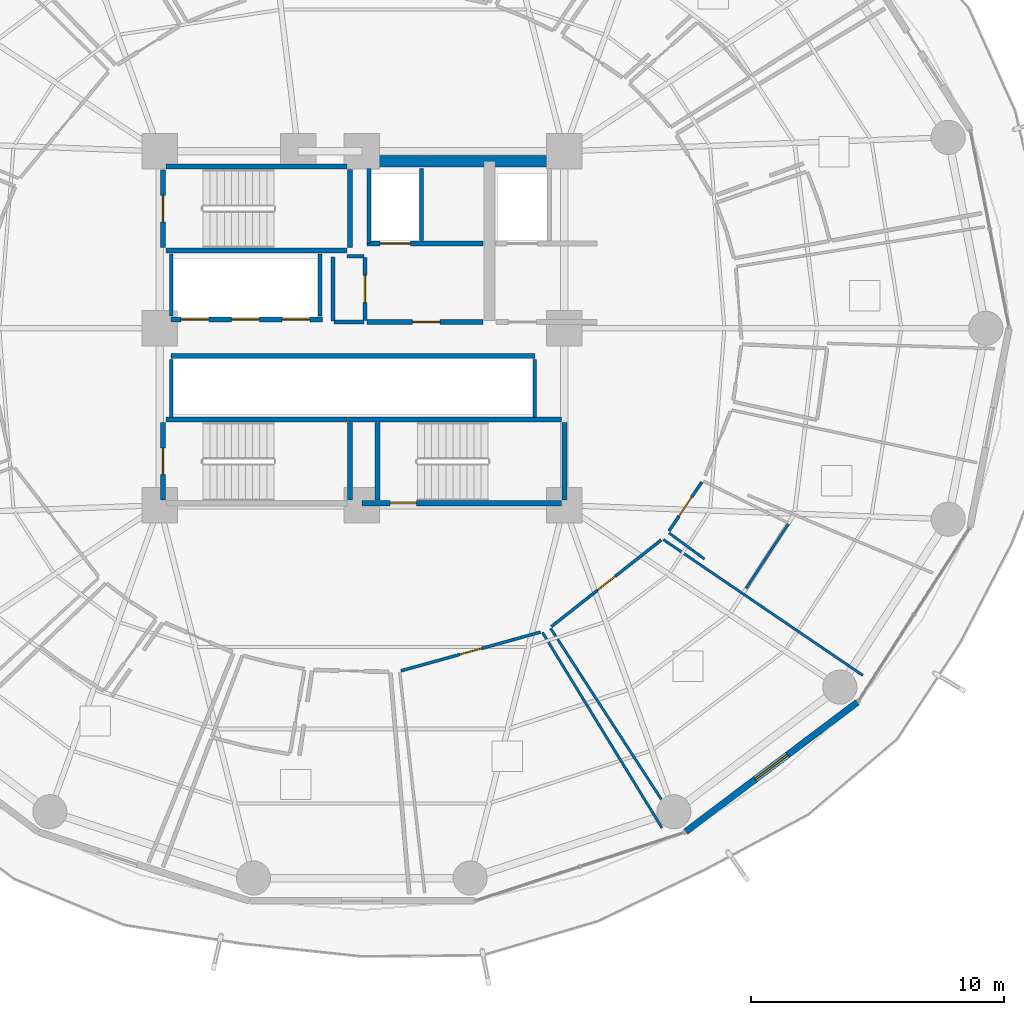
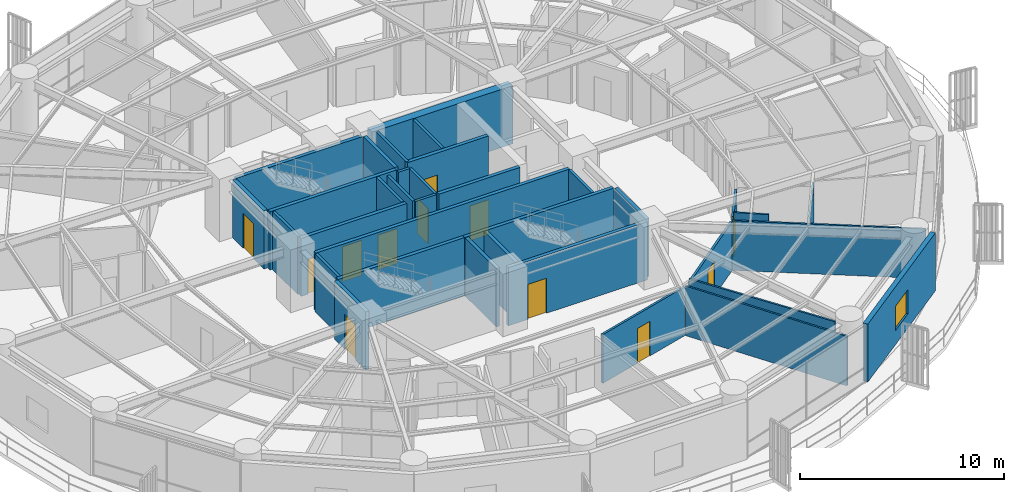
# One storey, part 26 of 33: 35 walls, 12 doors, 1 window, 13 openings.
"""IFC4 building model written with IfcOpenShell, lengths in metres."""

from ifc_helpers import new_model, si_unit, direction, frame, frame_2d, origin, place, context, subcontext, project, spatial, rectangle, extrude, material, layer, layer_set, type_object, element, fill, save


model = new_model("IFC4")

# Units and contexts
model_context = context("Model", 3, precision=1e-05, world=origin(), true_north=direction((0.0, 1.0)))
body_context = subcontext(model_context, "Body", "Model", "MODEL_VIEW")
ifc_project = project(units=[si_unit("LENGTHUNIT", "METRE"), si_unit("AREAUNIT", "SQUARE_METRE"), si_unit("VOLUMEUNIT", "CUBIC_METRE"), si_unit("PLANEANGLEUNIT", "RADIAN"), si_unit("MASSUNIT", "GRAM", prefix="KILO")], contexts=[model_context])

# Site, building, storey
site_placement = place(None, origin())
site = spatial("IfcSite", under=ifc_project, at=site_placement, CompositionType="ELEMENT")
building_placement = place(site_placement, origin())
building = spatial("IfcBuilding", under=site, at=building_placement, Name="Kelanora Arch Commons", CompositionType="ELEMENT")
storey_placement = place(building_placement, frame((0.0, 0.0, 80.10009765625)))
storey = spatial("IfcBuildingStorey", under=building, at=storey_placement, Name="L20", CompositionType="ELEMENT", Elevation=80.10009765625)

# Walls
ifc_material_1 = material(Name="Autoclaved aerated concrete blockwork with fire plaster", Category="masonry")
ifc_layer_1 = layer(ifc_material_1, 0.14990234375)
ifc_layer_set_1 = layer_set([ifc_layer_1], Name="Autoclaved aerated concrete blockwork with fire plaster")
wall_type_1 = type_object("IfcWallType", Name="W-COMP-150", PredefinedType="PARTITIONING", material=ifc_layer_set_1)
wall_1_placement = place(storey_placement, frame((74.280029296875, 61.35009765625, 0.0), z_axis=(0.0, 0.0, 1.0), x_axis=(0.0, 1.0, 0.0)))
element("IfcWall", 1, at=wall_1_placement, inside=storey, type_object=wall_type_1, Name="Firefighting Lift 1 West Shaft Wall L20", PredefinedType="PARTITIONING", context=body_context, shape_type="SweptSolid", body=[
    extrude(rectangle(XDim=2.969970703125, YDim=0.14990234375, at=frame_2d((1.48486328125, 0.0))), origin(), (0.0, 0.0, 1.0), 3.47998046875),
])
wall_2_placement = place(storey_placement, frame((76.360107421875, 61.47998046875, 0.0), z_axis=(0.0, 0.0, 1.0), x_axis=(0.0, 1.0, 0.0)))
element("IfcWall", 2, at=wall_2_placement, inside=storey, type_object=wall_type_1, Name="Firefighting Lift 1 East Shaft Wall L20", PredefinedType="PARTITIONING", context=body_context, shape_type="SweptSolid", body=[
    extrude(rectangle(XDim=2.840087890625, YDim=0.14990234375, at=frame_2d((1.419921875, 0.0))), origin(), (0.0, 0.0, 1.0), 3.47998046875),
])
for number, where, z_axis, x_axis, name in (
    (3, (66.4599609375, 58.47998046875, 0.0), (0.0, 0.0, 1.0), (0.0, 1.0, 0.0), "Low-Rise Lift Bank West Wall L20"),
    (4, (72.340087890625, 58.47998046875, 0.0), (0.0, 0.0, 1.0), (0.0, 1.0, 0.0), "Low-Rise Lift Bank East Wall L20"),
):
    element("IfcWall", number, at=place(storey_placement, frame(where, z_axis=z_axis, x_axis=x_axis)), inside=storey, type_object=wall_type_1, Name=name, PredefinedType="PARTITIONING", context=body_context, shape_type="SweptSolid", body=[
        extrude(rectangle(XDim=2.4599609375, YDim=0.14990234375, at=frame_2d((1.22998046875, 0.0))), origin(), (0.0, 0.0, 1.0), 3.47998046875),
    ])
for number, where, z_axis, x_axis, name in (
    (5, (66.4599609375, 54.47998046875, 0.0), (0.0, 0.0, 1.0), (0.0, 1.0, 0.0), "South Lift Bank West Wall L20"),
    (6, (80.840087890625, 54.47998046875, 0.0), (0.0, 0.0, 1.0), (0.0, 1.0, 0.0), "South Lift Bank East Wall L20"),
):
    element("IfcWall", number, at=place(storey_placement, frame(where, z_axis=z_axis, x_axis=x_axis)), inside=storey, type_object=wall_type_1, Name=name, PredefinedType="PARTITIONING", context=body_context, shape_type="SweptSolid", body=[
        extrude(rectangle(XDim=2.2900390625, YDim=0.14990234375, at=frame_2d((1.14501953125, 0.0))), origin(), (0.0, 0.0, 1.0), 3.47998046875),
    ])

# Wall, opening, door
wall_3_placement = place(storey_placement, frame((74.1201171875, 58.31005859375, 0.0), z_axis=(0.0, 0.0, 1.0), x_axis=(0.0, 1.0, 0.0)))
wall_3 = element("IfcWall", 7, at=wall_3_placement, inside=storey, type_object=wall_type_1, Name="Core Linen Supply Store L20 Entry Partition", PredefinedType="PARTITIONING", context=body_context, shape_type="SweptSolid", body=[
    extrude(rectangle(XDim=2.47998046875, YDim=0.14990234375, at=frame_2d((1.239990234375, 0.0))), origin(), (0.0, 0.0, 1.0), 3.47998046875),
])
opening_1_placement = place(wall_3_placement, frame((0.699951171875, 0.0, 0.0)))
opening_1 = element("IfcOpeningElement", 8, at=opening_1_placement, cuts=wall_3, Name="Opening D-PLT1", PredefinedType="OPENING", context=body_context, shape_type="SweptSolid", body=[
    extrude(rectangle(XDim=1.080078125, YDim=2.10009765625, at=frame_2d((0.5400390625, 1.050048828125))), frame((0.0, 0.0849609375, 0.0), z_axis=(0.0, -1.0, 0.0), x_axis=(1.0, 0.0, 0.0)), (0.0, 0.0, 1.0), 0.169921875),
])
ifc_material_2 = material(Name="Galvanised steel plant and riser fire door", Category="steel")
door_type_1 = type_object("IfcDoorType", Name="D-PLT-110", OperationType="NOTDEFINED", PredefinedType="DOOR", material=ifc_material_2)
door_1_placement = place(opening_1_placement, origin())
door_1 = element("IfcDoor", 9, at=door_1_placement, inside=storey, type_object=door_type_1, Name="Core Linen Supply Store L20 Door", OperationType="SINGLE_SWING_RIGHT", OverallHeight=2.10009765625, OverallWidth=1.080078125, PredefinedType="DOOR", context=body_context, shape_type="SweptSolid", body=[
    extrude(rectangle(XDim=1.080078125, YDim=2.10009765625, at=frame_2d((0.5400390625, 1.050048828125))), frame((0.0, 0.02490234375, 0.0), z_axis=(0.0, -1.0, 0.0), x_axis=(1.0, 0.0, 0.0)), (0.0, 0.0, 1.0), 0.050048828125),
])
fill(opening_1, door_1)

# Walls
wall_4_placement = place(storey_placement, frame((72.89990234375, 58.25, 0.0), z_axis=(0.0, 0.0, 1.0), x_axis=(1.0, 0.0, 0.0)))
element("IfcWall", 10, at=wall_4_placement, inside=storey, type_object=wall_type_1, Name="Core Linen Supply Store L20 Enclosure Partition 1", PredefinedType="PARTITIONING", context=body_context, shape_type="SweptSolid", body=[
    extrude(rectangle(XDim=1.18017578125, YDim=0.14990234375, at=frame_2d((0.590087890625, 0.0))), origin(), (0.0, 0.0, 1.0), 3.47998046875),
])
wall_5_placement = place(storey_placement, frame((74.080078125, 60.85009765625, 0.0), z_axis=(0.0, 0.0, 1.0), x_axis=(-1.0, 0.0, 0.0)))
element("IfcWall", 11, at=wall_5_placement, inside=storey, type_object=wall_type_1, Name="Core Linen Supply Store L20 Enclosure Partition 3", PredefinedType="PARTITIONING", context=body_context, shape_type="SweptSolid", body=[
    extrude(rectangle(XDim=0.66015625, YDim=0.14990234375, at=frame_2d((0.330078125, 0.0))), origin(), (0.0, 0.0, 1.0), 3.47998046875),
])
wall_6_placement = place(storey_placement, frame((72.860107421875, 60.81005859375, 0.0), z_axis=(0.0, 0.0, 1.0), x_axis=(0.0, -1.0, 0.0)))
element("IfcWall", 12, at=wall_6_placement, inside=storey, type_object=wall_type_1, Name="Core Linen Supply Store L20 Enclosure Partition 4", PredefinedType="PARTITIONING", context=body_context, shape_type="SweptSolid", body=[
    extrude(rectangle(XDim=2.52001953125, YDim=0.14990234375, at=frame_2d((1.260009765625, 0.0))), origin(), (0.0, 0.0, 1.0), 3.47998046875),
])
ifc_material_3 = material(Name="Concrete C60/75", Category="concrete")
ifc_layer_2 = layer(ifc_material_3, 0.449951171875)
ifc_layer_set_2 = layer_set([ifc_layer_2], Name="Concrete C60/75")
wall_type_2 = type_object("IfcWallType", Name="W-CORE-450", PredefinedType="SHEAR", material=ifc_layer_set_2)
wall_7_placement = place(storey_placement, frame((74.0, 64.60009765625, 0.0), z_axis=(0.0, 0.0, 1.0), x_axis=(1.0, 0.0, 0.0)))
element("IfcWall", 13, at=wall_7_placement, inside=storey, type_object=wall_type_2, Name="Core Shear Spine L20-CN-E", PredefinedType="SHEAR", context=body_context, shape_type="SweptSolid", body=[
    extrude(rectangle(XDim=8.0, YDim=0.449951171875, at=frame_2d((4.0, 0.0))), origin(), (0.0, 0.0, 1.0), 3.489990234375),
])

# Wall, opening, window
ifc_material_4 = material(Name="Precast concrete C40/50 with terracotta rainscreen", Category="masonry")
ifc_layer_3 = layer(ifc_material_4, 0.260009765625)
ifc_layer_set_3 = layer_set([ifc_layer_3], Name="Precast concrete C40/50 with terracotta rainscreen")
wall_type_3 = type_object("IfcWallType", Name="W-EXT-TC", PredefinedType="SOLIDWALL", material=ifc_layer_set_3)
wall_8_placement = place(storey_placement, frame((86.81201171875, 38.09033203125, 0.0), z_axis=(0.0, 0.0, 1.0), x_axis=(0.798501507879, 0.601992808857, 0.0)))
wall_8 = element("IfcWall", 14, at=wall_8_placement, inside=storey, type_object=wall_type_3, Name="Terracotta Exterior Wall L20-B15", PredefinedType="SOLIDWALL", context=body_context, shape_type="SweptSolid", body=[
    extrude(rectangle(XDim=8.499267578125, YDim=0.260009765625, at=frame_2d((4.24951171875, 0.0))), origin(), (0.0, 0.0, 1.0), 3.474853515625),
])
opening_2_placement = place(wall_8_placement, frame((3.449951171875, 0.0, 0.85009765625)))
opening_2 = element("IfcOpeningElement", 15, at=opening_2_placement, cuts=wall_8, Name="Opening WN-01", PredefinedType="OPENING", context=body_context, shape_type="SweptSolid", body=[
    extrude(rectangle(XDim=1.60009765625, YDim=1.449951171875, at=frame_2d((0.800048828125, 0.72509765625))), frame((0.0, 0.14013671875, 0.0), z_axis=(0.0, -1.0, 0.0), x_axis=(1.0, 0.0, 0.0)), (0.0, 0.0, 1.0), 0.280029296875),
])
ifc_material_5 = material(Name="Terracotta-anodised aluminium frame with operable low-E glazing", Category="masonry")
window_type = type_object("IfcWindowType", Name="WIN-CL-18", PartitioningType="DOUBLE_PANEL_VERTICAL", PredefinedType="WINDOW", material=ifc_material_5)
window_placement = place(opening_2_placement, origin())
window = element("IfcWindow", 16, at=window_placement, inside=storey, type_object=window_type, Name="Co-Living Operable Window L20-B15", OverallHeight=1.449951171875, OverallWidth=1.60009765625, PartitioningType="SINGLE_PANEL", PredefinedType="WINDOW", context=body_context, shape_type="SweptSolid", body=[
    extrude(rectangle(XDim=1.60009765625, YDim=1.449951171875, at=frame_2d((0.800048828125, 0.72509765625))), frame((0.0, 0.030029296875, 0.0), z_axis=(0.0, -1.0, 0.0), x_axis=(1.0, 0.0, 0.0)), (0.0, 0.0, 1.0), 0.06005859375),
])
fill(opening_2, window)

# Wall, opening, door
ifc_material_6 = material(Name="Concrete C40/50", Category="concrete")
ifc_layer_4 = layer(ifc_material_6, 0.199951171875)
ifc_layer_set_4 = layer_set([ifc_layer_4], Name="Concrete C40/50")
wall_type_4 = type_object("IfcWallType", Name="W-FFL-200", PredefinedType="SOLIDWALL", material=ifc_layer_set_4)
wall_9_placement = place(storey_placement, frame((74.199951171875, 61.35009765625, 0.0), z_axis=(0.0, 0.0, 1.0), x_axis=(1.0, 0.0, 0.0)))
wall_9 = element("IfcWall", 17, at=wall_9_placement, inside=storey, type_object=wall_type_4, Name="Firefighting Lift 1 Shaft Front L20", PredefinedType="SOLIDWALL", context=body_context, shape_type="SweptSolid", body=[
    extrude(rectangle(XDim=4.60009765625, YDim=0.199951171875, at=frame_2d((2.300048828125, 0.0))), origin(), (0.0, 0.0, 1.0), 3.47998046875),
])
opening_3_placement = place(wall_9_placement, frame((0.52001953125, 0.0, 0.0)))
opening_3 = element("IfcOpeningElement", 18, at=opening_3_placement, cuts=wall_9, Name="Opening LD-FF", PredefinedType="OPENING", context=body_context, shape_type="SweptSolid", body=[
    extrude(rectangle(XDim=1.199951171875, YDim=2.14990234375, at=frame_2d((0.60009765625, 1.074951171875))), frame((0.0, 0.10986328125, 0.0), z_axis=(0.0, -1.0, 0.0), x_axis=(1.0, 0.0, 0.0)), (0.0, 0.0, 1.0), 0.219970703125),
])
ifc_material_7 = material(Name="Fire-rated firefighters lift sliding landing door")
door_type_2 = type_object("IfcDoorType", Name="D-LIFT-FF", OperationType="NOTDEFINED", PredefinedType="DOOR", material=ifc_material_7)
door_2_placement = place(opening_3_placement, origin())
door_2 = element("IfcDoor", 19, at=door_2_placement, inside=storey, type_object=door_type_2, Name="Firefighting Lift LF-FF1 Landing Door L20", OperationType="DOUBLE_DOOR_SLIDING", OverallHeight=2.14990234375, OverallWidth=1.199951171875, PredefinedType="DOOR", context=body_context, shape_type="SweptSolid", body=[
    extrude(rectangle(XDim=1.199951171875, YDim=2.14990234375, at=frame_2d((0.60009765625, 1.074951171875))), frame((0.0, 0.02490234375, 0.0), z_axis=(0.0, -1.0, 0.0), x_axis=(1.0, 0.0, 0.0)), (0.0, 0.0, 1.0), 0.050048828125),
])
fill(opening_3, door_2)

wall_10_placement = place(storey_placement, frame((74.199951171875, 58.25, 0.0), z_axis=(0.0, 0.0, 1.0), x_axis=(1.0, 0.0, 0.0)))
wall_10 = element("IfcWall", 20, at=wall_10_placement, inside=storey, type_object=wall_type_4, Name="Firefighting Lobby 1 Enclosure Wall L20", PredefinedType="SOLIDWALL", context=body_context, shape_type="SweptSolid", body=[
    extrude(rectangle(XDim=4.60009765625, YDim=0.199951171875, at=frame_2d((2.300048828125, 0.0))), origin(), (0.0, 0.0, 1.0), 3.47998046875),
])
opening_4_placement = place(wall_10_placement, frame((1.800048828125, 0.0, 0.0)))
opening_4 = element("IfcOpeningElement", 21, at=opening_4_placement, cuts=wall_10, Name="Opening D-FFL1", PredefinedType="OPENING", context=body_context, shape_type="SweptSolid", body=[
    extrude(rectangle(XDim=1.10009765625, YDim=2.10009765625, at=frame_2d((0.550048828125, 1.050048828125))), frame((0.0, 0.10986328125, 0.0), z_axis=(0.0, -1.0, 0.0), x_axis=(1.0, 0.0, 0.0)), (0.0, 0.0, 1.0), 0.219970703125),
])
ifc_material_8 = material(Name="Smoke-sealed firefighting lobby fire door")
door_type_3 = type_object("IfcDoorType", Name="D-FFL-110", OperationType="NOTDEFINED", PredefinedType="DOOR", material=ifc_material_8)
door_3_placement = place(opening_4_placement, frame((1.10009765625, 0.0, 0.0), z_axis=(0.0, 0.0, 1.0), x_axis=(-1.0, 0.0, 0.0)))
door_3 = element("IfcDoor", 22, at=door_3_placement, inside=storey, type_object=door_type_3, Name="Firefighting Lobby 1 Door L20", OperationType="SINGLE_SWING_LEFT", OverallHeight=2.10009765625, OverallWidth=1.10009765625, PredefinedType="DOOR", context=body_context, shape_type="SweptSolid", body=[
    extrude(rectangle(XDim=1.10009765625, YDim=2.10009765625, at=frame_2d((0.550048828125, 1.050048828125))), frame((0.0, 0.02490234375, 0.0), z_axis=(0.0, -1.0, 0.0), x_axis=(1.0, 0.0, 0.0)), (0.0, 0.0, 1.0), 0.050048828125),
])
fill(opening_4, door_3)

# Wall, openings, doors
wall_11_placement = place(storey_placement, frame((66.449951171875, 58.35009765625, 0.0), z_axis=(0.0, 0.0, 1.0), x_axis=(1.0, 0.0, 0.0)))
wall_11 = element("IfcWall", 23, at=wall_11_placement, inside=storey, type_object=wall_type_4, Name="Low-Rise Passenger Lift Shaft Front L20", PredefinedType="SOLIDWALL", context=body_context, shape_type="SweptSolid", body=[
    extrude(rectangle(XDim=6.0, YDim=0.199951171875, at=frame_2d((3.0, 0.0))), origin(), (0.0, 0.0, 1.0), 3.47998046875),
])
opening_5_placement = place(wall_11_placement, frame((0.39990234375, 0.0, 0.0)))
opening_5 = element("IfcOpeningElement", 24, at=opening_5_placement, cuts=wall_11, Name="Opening LD-01", PredefinedType="OPENING", context=body_context, shape_type="SweptSolid", body=[
    extrude(rectangle(XDim=1.10009765625, YDim=2.10009765625, at=frame_2d((0.550048828125, 1.050048828125))), frame((0.0, 0.10986328125, 0.0), z_axis=(0.0, -1.0, 0.0), x_axis=(1.0, 0.0, 0.0)), (0.0, 0.0, 1.0), 0.219970703125),
])
opening_6_placement = place(wall_11_placement, frame((2.39990234375, 0.0, 0.0)))
opening_6 = element("IfcOpeningElement", 25, at=opening_6_placement, cuts=wall_11, Name="Opening LD-01", PredefinedType="OPENING", context=body_context, shape_type="SweptSolid", body=[
    extrude(rectangle(XDim=1.10009765625, YDim=2.10009765625, at=frame_2d((0.550048828125, 1.050048828125))), frame((0.0, 0.10986328125, 0.0), z_axis=(0.0, -1.0, 0.0), x_axis=(1.0, 0.0, 0.0)), (0.0, 0.0, 1.0), 0.219970703125),
])
opening_7_placement = place(wall_11_placement, frame((4.39990234375, 0.0, 0.0)))
opening_7 = element("IfcOpeningElement", 26, at=opening_7_placement, cuts=wall_11, Name="Opening LD-01", PredefinedType="OPENING", context=body_context, shape_type="SweptSolid", body=[
    extrude(rectangle(XDim=1.10009765625, YDim=2.10009765625, at=frame_2d((0.550048828125, 1.050048828125))), frame((0.0, 0.10986328125, 0.0), z_axis=(0.0, -1.0, 0.0), x_axis=(1.0, 0.0, 0.0)), (0.0, 0.0, 1.0), 0.219970703125),
])
ifc_material_9 = material(Name="Stainless steel passenger lift sliding landing door", Category="steel")
door_type_4 = type_object("IfcDoorType", Name="D-LIFT-110", OperationType="NOTDEFINED", PredefinedType="DOOR", material=ifc_material_9)
door_4_placement = place(opening_5_placement, origin())
door_4 = element("IfcDoor", 27, at=door_4_placement, inside=storey, type_object=door_type_4, Name="Passenger Lift LF-P1 Landing Door L20", OperationType="DOUBLE_DOOR_SLIDING", OverallHeight=2.10009765625, OverallWidth=1.10009765625, PredefinedType="DOOR", context=body_context, shape_type="SweptSolid", body=[
    extrude(rectangle(XDim=1.10009765625, YDim=2.10009765625, at=frame_2d((0.550048828125, 1.050048828125))), frame((0.0, 0.02490234375, 0.0), z_axis=(0.0, -1.0, 0.0), x_axis=(1.0, 0.0, 0.0)), (0.0, 0.0, 1.0), 0.050048828125),
])
fill(opening_5, door_4)
door_5_placement = place(opening_6_placement, origin())
door_5 = element("IfcDoor", 28, at=door_5_placement, inside=storey, type_object=door_type_4, Name="Passenger Lift LF-P2 Landing Door L20", OperationType="DOUBLE_DOOR_SLIDING", OverallHeight=2.10009765625, OverallWidth=1.10009765625, PredefinedType="DOOR", context=body_context, shape_type="SweptSolid", body=[
    extrude(rectangle(XDim=1.10009765625, YDim=2.10009765625, at=frame_2d((0.550048828125, 1.050048828125))), frame((0.0, 0.02490234375, 0.0), z_axis=(0.0, -1.0, 0.0), x_axis=(1.0, 0.0, 0.0)), (0.0, 0.0, 1.0), 0.050048828125),
])
fill(opening_6, door_5)
door_6_placement = place(opening_7_placement, origin())
door_6 = element("IfcDoor", 29, at=door_6_placement, inside=storey, type_object=door_type_4, Name="Passenger Lift LF-P3 Landing Door L20", OperationType="DOUBLE_DOOR_SLIDING", OverallHeight=2.10009765625, OverallWidth=1.10009765625, PredefinedType="DOOR", context=body_context, shape_type="SweptSolid", body=[
    extrude(rectangle(XDim=1.10009765625, YDim=2.10009765625, at=frame_2d((0.550048828125, 1.050048828125))), frame((0.0, 0.02490234375, 0.0), z_axis=(0.0, -1.0, 0.0), x_axis=(1.0, 0.0, 0.0)), (0.0, 0.0, 1.0), 0.050048828125),
])
fill(opening_7, door_6)

# Walls
wall_12_placement = place(storey_placement, frame((66.449951171875, 56.89990234375, 0.0), z_axis=(0.0, 0.0, 1.0), x_axis=(1.0, 0.0, 0.0)))
element("IfcWall", 30, at=wall_12_placement, inside=storey, type_object=wall_type_4, Name="Mid/High/Express Lift Shaft Front L20", PredefinedType="SOLIDWALL", context=body_context, shape_type="SweptSolid", body=[
    extrude(rectangle(XDim=14.400146484375, YDim=0.199951171875, at=frame_2d((7.2001953125, 0.0))), origin(), (0.0, 0.0, 1.0), 3.47998046875),
])
ifc_material_10 = material(Name="Lightweight fire-rated acoustic stud partition")
ifc_layer_5 = layer(ifc_material_10, 0.10009765625)
ifc_layer_set_5 = layer_set([ifc_layer_5], Name="Lightweight fire-rated acoustic stud partition")
wall_type_5 = type_object("IfcWallType", Name="W-PART-100", PredefinedType="PARTITIONING", material=ifc_layer_set_5)
wall_13_placement = place(storey_placement, frame((81.14697265625, 45.96484375, 0.0), z_axis=(0.0, 0.0, 1.0), x_axis=(0.521624536189, -0.853175153908, 0.0)))
element("IfcWall", 31, at=wall_13_placement, inside=storey, type_object=wall_type_5, Name="Quiet Seminar Study Room L20-12 Enclosure Partition 2", PredefinedType="PARTITIONING", context=body_context, shape_type="SweptSolid", body=[
    extrude(rectangle(XDim=9.052734375, YDim=0.10009765625, at=frame_2d((4.5263671875, 0.0))), origin(), (0.0, 0.0, 1.0), 2.974853515625),
])
wall_14_placement = place(storey_placement, frame((85.925048828125, 49.642578125, 0.0), z_axis=(0.0, 0.0, 1.0), x_axis=(0.826688408753, -0.562659999319, 0.0)))
element("IfcWall", 32, at=wall_14_placement, inside=storey, type_object=wall_type_5, Name="Quiet Seminar Study Room L20-13 Enclosure Partition 2", PredefinedType="PARTITIONING", context=body_context, shape_type="SweptSolid", body=[
    extrude(rectangle(XDim=9.5390625, YDim=0.10009765625, at=frame_2d((4.76953125, 0.0))), origin(), (0.0, 0.0, 1.0), 2.974853515625),
])
wall_15_placement = place(storey_placement, frame((85.84375, 39.3720703125, 0.0), z_axis=(0.0, 0.0, 1.0), x_axis=(-0.543590830013, 0.839350349691, 0.0)))
element("IfcWall", 33, at=wall_15_placement, inside=storey, type_object=wall_type_5, Name="Quiet Seminar Study Room L20-13 Enclosure Partition 4", PredefinedType="PARTITIONING", context=body_context, shape_type="SweptSolid", body=[
    extrude(rectangle(XDim=8.04833984375, YDim=0.10009765625, at=frame_2d((4.024169921875, 0.0))), origin(), (0.0, 0.0, 1.0), 3.1748046875),
])
wall_16_placement = place(storey_placement, frame((90.8662109375, 50.256591796875, 0.0), z_axis=(0.0, 0.0, 1.0), x_axis=(-0.548626626693, -0.836067476035, 0.0)))
element("IfcWall", 34, at=wall_16_placement, inside=storey, type_object=wall_type_5, Name="Student Laundry Room L20-14 Enclosure Partition 3", PredefinedType="PARTITIONING", context=body_context, shape_type="SweptSolid", body=[
    extrude(rectangle(XDim=3.040771484375, YDim=0.10009765625, at=frame_2d((1.5205078125, 0.0))), origin(), (0.0, 0.0, 1.0), 3.1748046875),
])
wall_17_placement = place(storey_placement, frame((87.552001953125, 48.873779296875, 0.0), z_axis=(0.0, 0.0, 1.0), x_axis=(-0.805902241708, 0.592048627065, 0.0)))
element("IfcWall", 35, at=wall_17_placement, inside=storey, type_object=wall_type_5, Name="Student Laundry Room L20-14 Enclosure Partition 4", PredefinedType="PARTITIONING", context=body_context, shape_type="SweptSolid", body=[
    extrude(rectangle(XDim=1.74560546875, YDim=0.10009765625, at=frame_2d((0.872802734375, 0.0))), origin(), (0.0, 0.0, 1.0), 3.23486328125),
])

# Wall, opening, door
ifc_material_11 = material(Name="Acoustic twin-stud fire-rated gypsum partition")
ifc_layer_6 = layer(ifc_material_11, 0.1201171875)
ifc_layer_set_6 = layer_set([ifc_layer_6], Name="Acoustic twin-stud fire-rated gypsum partition")
wall_type_6 = type_object("IfcWallType", Name="W-PART-120", PredefinedType="PARTITIONING", material=ifc_layer_set_6)
wall_18_placement = place(storey_placement, frame((75.55078125, 44.452880859375, 0.0), z_axis=(0.0, 0.0, 1.0), x_axis=(0.963633279283, 0.267228185374, 0.0)))
wall_18 = element("IfcWall", 36, at=wall_18_placement, inside=storey, type_object=wall_type_6, Name="Quiet Seminar Study Room L20-12 Entry Partition", PredefinedType="PARTITIONING", context=body_context, shape_type="SweptSolid", body=[
    extrude(rectangle(XDim=5.7255859375, YDim=0.1201171875, at=frame_2d((2.86279296875, 0.0))), origin(), (0.0, 0.0, 1.0), 2.9248046875),
])
opening_8_placement = place(wall_18_placement, frame((2.4130859375, 0.0, 0.0)))
opening_8 = element("IfcOpeningElement", 37, at=opening_8_placement, cuts=wall_18, Name="Opening D-RM1", PredefinedType="OPENING", context=body_context, shape_type="SweptSolid", body=[
    extrude(rectangle(XDim=0.89990234375, YDim=2.080078125, at=frame_2d((0.449951171875, 1.0400390625))), frame((0.0, 0.070068359375, 0.0), z_axis=(0.0, -1.0, 0.0), x_axis=(1.0, 0.0, 0.0)), (0.0, 0.0, 1.0), 0.14013671875),
])
ifc_material_12 = material(Name="Acoustic fire-rated timber study and lounge door", Category="wood")
door_type_5 = type_object("IfcDoorType", Name="D-ROOM-90", OperationType="NOTDEFINED", PredefinedType="DOOR", material=ifc_material_12)
door_7_placement = place(opening_8_placement, origin())
door_7 = element("IfcDoor", 38, at=door_7_placement, inside=storey, type_object=door_type_5, Name="Quiet Seminar Study Room L20-12 Door", OperationType="SINGLE_SWING_LEFT", OverallHeight=2.080078125, OverallWidth=0.89990234375, PredefinedType="DOOR", context=body_context, shape_type="SweptSolid", body=[
    extrude(rectangle(XDim=0.89990234375, YDim=2.080078125, at=frame_2d((0.449951171875, 1.0400390625))), frame((0.0, 0.02490234375, 0.0), z_axis=(0.0, -1.0, 0.0), x_axis=(1.0, 0.0, 0.0)), (0.0, 0.0, 1.0), 0.050048828125),
])
fill(opening_8, door_7)

wall_19_placement = place(storey_placement, frame((81.494140625, 46.197998046875, 0.0), z_axis=(0.0, 0.0, 1.0), x_axis=(0.785315722545, 0.619095482074, 0.0)))
wall_19 = element("IfcWall", 39, at=wall_19_placement, inside=storey, type_object=wall_type_6, Name="Quiet Seminar Study Room L20-13 Entry Partition", PredefinedType="PARTITIONING", context=body_context, shape_type="SweptSolid", body=[
    extrude(rectangle(XDim=5.540283203125, YDim=0.1201171875, at=frame_2d((2.77001953125, 0.0))), origin(), (0.0, 0.0, 1.0), 2.9248046875),
])
opening_9_placement = place(wall_19_placement, frame((2.320068359375, 0.0, 0.0)))
opening_9 = element("IfcOpeningElement", 40, at=opening_9_placement, cuts=wall_19, Name="Opening D-RM1", PredefinedType="OPENING", context=body_context, shape_type="SweptSolid", body=[
    extrude(rectangle(XDim=0.89990234375, YDim=2.080078125, at=frame_2d((0.449951171875, 1.0400390625))), frame((0.0, 0.070068359375, 0.0), z_axis=(0.0, -1.0, 0.0), x_axis=(1.0, 0.0, 0.0)), (0.0, 0.0, 1.0), 0.14013671875),
])
door_8_placement = place(opening_9_placement, origin())
door_8 = element("IfcDoor", 41, at=door_8_placement, inside=storey, type_object=door_type_5, Name="Quiet Seminar Study Room L20-13 Door", OperationType="SINGLE_SWING_RIGHT", OverallHeight=2.080078125, OverallWidth=0.89990234375, PredefinedType="DOOR", context=body_context, shape_type="SweptSolid", body=[
    extrude(rectangle(XDim=0.89990234375, YDim=2.080078125, at=frame_2d((0.449951171875, 1.0400390625))), frame((0.0, 0.02490234375, 0.0), z_axis=(0.0, -1.0, 0.0), x_axis=(1.0, 0.0, 0.0)), (0.0, 0.0, 1.0), 0.050048828125),
])
fill(opening_9, door_8)

wall_20_placement = place(storey_placement, frame((86.146484375, 49.980712890625, 0.0), z_axis=(0.0, 0.0, 1.0), x_axis=(0.556604342457, 0.83077771152, 0.0)))
wall_20 = element("IfcWall", 42, at=wall_20_placement, inside=storey, type_object=wall_type_6, Name="Student Laundry Room L20-14 Entry Partition", PredefinedType="PARTITIONING", context=body_context, shape_type="SweptSolid", body=[
    extrude(rectangle(XDim=2.335693359375, YDim=0.1201171875, at=frame_2d((1.16796875, 0.0))), origin(), (0.0, 0.0, 1.0), 2.9248046875),
])
opening_10_placement = place(wall_20_placement, frame((0.718017578125, 0.0, 0.0)))
opening_10 = element("IfcOpeningElement", 43, at=opening_10_placement, cuts=wall_20, Name="Opening D-RM1", PredefinedType="OPENING", context=body_context, shape_type="SweptSolid", body=[
    extrude(rectangle(XDim=0.89990234375, YDim=2.080078125, at=frame_2d((0.449951171875, 1.0400390625))), frame((0.0, 0.070068359375, 0.0), z_axis=(0.0, -1.0, 0.0), x_axis=(1.0, 0.0, 0.0)), (0.0, 0.0, 1.0), 0.14013671875),
])
door_9_placement = place(opening_10_placement, origin())
door_9 = element("IfcDoor", 44, at=door_9_placement, inside=storey, type_object=door_type_5, Name="Student Laundry Room L20-14 Door", OperationType="SINGLE_SWING_LEFT", OverallHeight=2.080078125, OverallWidth=0.89990234375, PredefinedType="DOOR", context=body_context, shape_type="SweptSolid", body=[
    extrude(rectangle(XDim=0.89990234375, YDim=2.080078125, at=frame_2d((0.449951171875, 1.0400390625))), frame((0.0, 0.02490234375, 0.0), z_axis=(0.0, -1.0, 0.0), x_axis=(1.0, 0.0, 0.0)), (0.0, 0.0, 1.0), 0.050048828125),
])
fill(opening_10, door_9)

# Walls
ifc_layer_7 = layer(ifc_material_6, 0.199951171875)
ifc_layer_set_7 = layer_set([ifc_layer_7], Name="Concrete C40/50")
wall_type_7 = type_object("IfcWallType", Name="W-STAIR-200", PredefinedType="SHEAR", material=ifc_layer_set_7)
wall_21_placement = place(storey_placement, frame((66.260009765625, 61.080078125, 0.0), z_axis=(0.0, 0.0, 1.0), x_axis=(1.0, 0.0, 0.0)))
element("IfcWall", 45, at=wall_21_placement, inside=storey, type_object=wall_type_7, Name="Stair ST-T1 Shaft Wall S L20", PredefinedType="SHEAR", context=body_context, shape_type="SweptSolid", body=[
    extrude(rectangle(XDim=7.159912109375, YDim=0.199951171875, at=frame_2d((3.580078125, 0.0))), origin(), (0.0, 0.0, 1.0), 3.489990234375),
])
wall_22_placement = place(storey_placement, frame((73.5400390625, 61.199951171875, 0.0), z_axis=(0.0, 0.0, 1.0), x_axis=(0.0, 1.0, 0.0)))
element("IfcWall", 46, at=wall_22_placement, inside=storey, type_object=wall_type_7, Name="Stair ST-T1 Shaft Wall E L20", PredefinedType="SHEAR", context=body_context, shape_type="SweptSolid", body=[
    extrude(rectangle(XDim=3.070068359375, YDim=0.199951171875, at=frame_2d((1.53515625, 0.0))), origin(), (0.0, 0.0, 1.0), 3.489990234375),
])
wall_23_placement = place(storey_placement, frame((73.419921875, 64.389892578125, 0.0), z_axis=(0.0, 0.0, 1.0), x_axis=(-1.0, 0.0, 0.0)))
element("IfcWall", 47, at=wall_23_placement, inside=storey, type_object=wall_type_7, Name="Stair ST-T1 Shaft Wall N L20", PredefinedType="SHEAR", context=body_context, shape_type="SweptSolid", body=[
    extrude(rectangle(XDim=7.159912109375, YDim=0.199951171875, at=frame_2d((3.580078125, 0.0))), origin(), (0.0, 0.0, 1.0), 3.489990234375),
])

# Wall, opening, door
wall_24_placement = place(storey_placement, frame((66.139892578125, 64.27001953125, 0.0), z_axis=(0.0, 0.0, 1.0), x_axis=(0.0, -1.0, 0.0)))
wall_24 = element("IfcWall", 48, at=wall_24_placement, inside=storey, type_object=wall_type_7, Name="Stair ST-T1 Shaft Wall W L20", PredefinedType="SHEAR", context=body_context, shape_type="SweptSolid", body=[
    extrude(rectangle(XDim=3.070068359375, YDim=0.199951171875, at=frame_2d((1.53515625, 0.0))), origin(), (0.0, 0.0, 1.0), 3.489990234375),
])
opening_11_placement = place(wall_24_placement, frame((1.010009765625, 0.0, 0.0)))
opening_11 = element("IfcOpeningElement", 49, at=opening_11_placement, cuts=wall_24, Name="Opening D-ST1", PredefinedType="OPENING", context=body_context, shape_type="SweptSolid", body=[
    extrude(rectangle(XDim=1.050048828125, YDim=2.10009765625, at=frame_2d((0.52490234375, 1.050048828125))), frame((0.0, 0.10986328125, 0.0), z_axis=(0.0, -1.0, 0.0), x_axis=(1.0, 0.0, 0.0)), (0.0, 0.0, 1.0), 0.219970703125),
])
ifc_material_13 = material(Name="Steel fire-rated stairwell escape door", Category="steel")
door_type_6 = type_object("IfcDoorType", Name="D-STAIR-110", OperationType="NOTDEFINED", PredefinedType="DOOR", material=ifc_material_13)
door_10_placement = place(opening_11_placement, origin())
door_10 = element("IfcDoor", 50, at=door_10_placement, inside=storey, type_object=door_type_6, Name="Stair ST-T1 Escape Door L20", OperationType="SINGLE_SWING_LEFT", OverallHeight=2.10009765625, OverallWidth=1.050048828125, PredefinedType="DOOR", context=body_context, shape_type="SweptSolid", body=[
    extrude(rectangle(XDim=1.050048828125, YDim=2.10009765625, at=frame_2d((0.52490234375, 1.050048828125))), frame((0.0, 0.02490234375, 0.0), z_axis=(0.0, -1.0, 0.0), x_axis=(1.0, 0.0, 0.0)), (0.0, 0.0, 1.0), 0.050048828125),
])
fill(opening_11, door_10)

wall_25_placement = place(storey_placement, frame((74.0, 51.080078125, 0.0), z_axis=(0.0, 0.0, 1.0), x_axis=(1.0, 0.0, 0.0)))
wall_25 = element("IfcWall", 51, at=wall_25_placement, inside=storey, type_object=wall_type_7, Name="Stair ST-T2 Shaft Wall S L20", PredefinedType="SHEAR", context=body_context, shape_type="SweptSolid", body=[
    extrude(rectangle(XDim=7.89990234375, YDim=0.199951171875, at=frame_2d((3.949951171875, 0.0))), origin(), (0.0, 0.0, 1.0), 3.489990234375),
])
opening_12_placement = place(wall_25_placement, frame((1.1201171875, 0.0, 0.0)))
opening_12 = element("IfcOpeningElement", 52, at=opening_12_placement, cuts=wall_25, Name="Opening D-ST1", PredefinedType="OPENING", context=body_context, shape_type="SweptSolid", body=[
    extrude(rectangle(XDim=1.050048828125, YDim=2.10009765625, at=frame_2d((0.52490234375, 1.050048828125))), frame((0.0, 0.10986328125, 0.0), z_axis=(0.0, -1.0, 0.0), x_axis=(1.0, 0.0, 0.0)), (0.0, 0.0, 1.0), 0.219970703125),
])
door_11_placement = place(opening_12_placement, origin())
door_11 = element("IfcDoor", 53, at=door_11_placement, inside=storey, type_object=door_type_6, Name="Stair ST-T2 Escape Door L20", OperationType="SINGLE_SWING_LEFT", OverallHeight=2.10009765625, OverallWidth=1.050048828125, PredefinedType="DOOR", context=body_context, shape_type="SweptSolid", body=[
    extrude(rectangle(XDim=1.050048828125, YDim=2.10009765625, at=frame_2d((0.52490234375, 1.050048828125))), frame((0.0, 0.02490234375, 0.0), z_axis=(0.0, -1.0, 0.0), x_axis=(1.0, 0.0, 0.0)), (0.0, 0.0, 1.0), 0.050048828125),
])
fill(opening_12, door_11)

# Walls
wall_26_placement = place(storey_placement, frame((82.02001953125, 51.199951171875, 0.0), z_axis=(0.0, 0.0, 1.0), x_axis=(0.0, 1.0, 0.0)))
element("IfcWall", 54, at=wall_26_placement, inside=storey, type_object=wall_type_7, Name="Stair ST-T2 Shaft Wall E L20", PredefinedType="SHEAR", context=body_context, shape_type="SweptSolid", body=[
    extrude(rectangle(XDim=3.070068359375, YDim=0.199951171875, at=frame_2d((1.53515625, 0.0))), origin(), (0.0, 0.0, 1.0), 3.489990234375),
])
wall_27_placement = place(storey_placement, frame((81.89990234375, 54.389892578125, 0.0), z_axis=(0.0, 0.0, 1.0), x_axis=(-1.0, 0.0, 0.0)))
element("IfcWall", 55, at=wall_27_placement, inside=storey, type_object=wall_type_7, Name="Stair ST-T2 Shaft Wall N L20", PredefinedType="SHEAR", context=body_context, shape_type="SweptSolid", body=[
    extrude(rectangle(XDim=8.4599609375, YDim=0.199951171875, at=frame_2d((4.22998046875, 0.0))), origin(), (0.0, 0.0, 1.0), 3.489990234375),
])
for number, where, z_axis, x_axis, name in (
    (56, (74.6201171875, 54.27001953125, 0.0), (0.0, 0.0, 1.0), (0.0, -1.0, 0.0), "Stair ST-T2 Shaft Wall W L20"),
    (57, (73.5400390625, 51.199951171875, 0.0), (0.0, 0.0, 1.0), (0.0, 1.0, 0.0), "Stair ST-T3 Shaft Wall E L20"),
):
    element("IfcWall", number, at=place(storey_placement, frame(where, z_axis=z_axis, x_axis=x_axis)), inside=storey, type_object=wall_type_7, Name=name, PredefinedType="SHEAR", context=body_context, shape_type="SweptSolid", body=[
        extrude(rectangle(XDim=3.070068359375, YDim=0.199951171875, at=frame_2d((1.53515625, 0.0))), origin(), (0.0, 0.0, 1.0), 3.489990234375),
    ])
wall_28_placement = place(storey_placement, frame((73.419921875, 54.389892578125, 0.0), z_axis=(0.0, 0.0, 1.0), x_axis=(-1.0, 0.0, 0.0)))
element("IfcWall", 58, at=wall_28_placement, inside=storey, type_object=wall_type_7, Name="Stair ST-T3 Shaft Wall N L20", PredefinedType="SHEAR", context=body_context, shape_type="SweptSolid", body=[
    extrude(rectangle(XDim=7.159912109375, YDim=0.199951171875, at=frame_2d((3.580078125, 0.0))), origin(), (0.0, 0.0, 1.0), 3.489990234375),
])

# Wall, opening, door
wall_29_placement = place(storey_placement, frame((66.139892578125, 54.27001953125, 0.0), z_axis=(0.0, 0.0, 1.0), x_axis=(0.0, -1.0, 0.0)))
wall_29 = element("IfcWall", 59, at=wall_29_placement, inside=storey, type_object=wall_type_7, Name="Stair ST-T3 Shaft Wall W L20", PredefinedType="SHEAR", context=body_context, shape_type="SweptSolid", body=[
    extrude(rectangle(XDim=3.070068359375, YDim=0.199951171875, at=frame_2d((1.53515625, 0.0))), origin(), (0.0, 0.0, 1.0), 3.489990234375),
])
opening_13_placement = place(wall_29_placement, frame((1.010009765625, 0.0, 0.0)))
opening_13 = element("IfcOpeningElement", 60, at=opening_13_placement, cuts=wall_29, Name="Opening D-ST1", PredefinedType="OPENING", context=body_context, shape_type="SweptSolid", body=[
    extrude(rectangle(XDim=1.050048828125, YDim=2.10009765625, at=frame_2d((0.52490234375, 1.050048828125))), frame((0.0, 0.10986328125, 0.0), z_axis=(0.0, -1.0, 0.0), x_axis=(1.0, 0.0, 0.0)), (0.0, 0.0, 1.0), 0.219970703125),
])
door_12_placement = place(opening_13_placement, origin())
door_12 = element("IfcDoor", 61, at=door_12_placement, inside=storey, type_object=door_type_6, Name="Stair ST-T3 Escape Door L20", OperationType="SINGLE_SWING_LEFT", OverallHeight=2.10009765625, OverallWidth=1.050048828125, PredefinedType="DOOR", context=body_context, shape_type="SweptSolid", body=[
    extrude(rectangle(XDim=1.050048828125, YDim=2.10009765625, at=frame_2d((0.52490234375, 1.050048828125))), frame((0.0, 0.02490234375, 0.0), z_axis=(0.0, -1.0, 0.0), x_axis=(1.0, 0.0, 0.0)), (0.0, 0.0, 1.0), 0.050048828125),
])
fill(opening_13, door_12)

save(model, "model.ifc")
